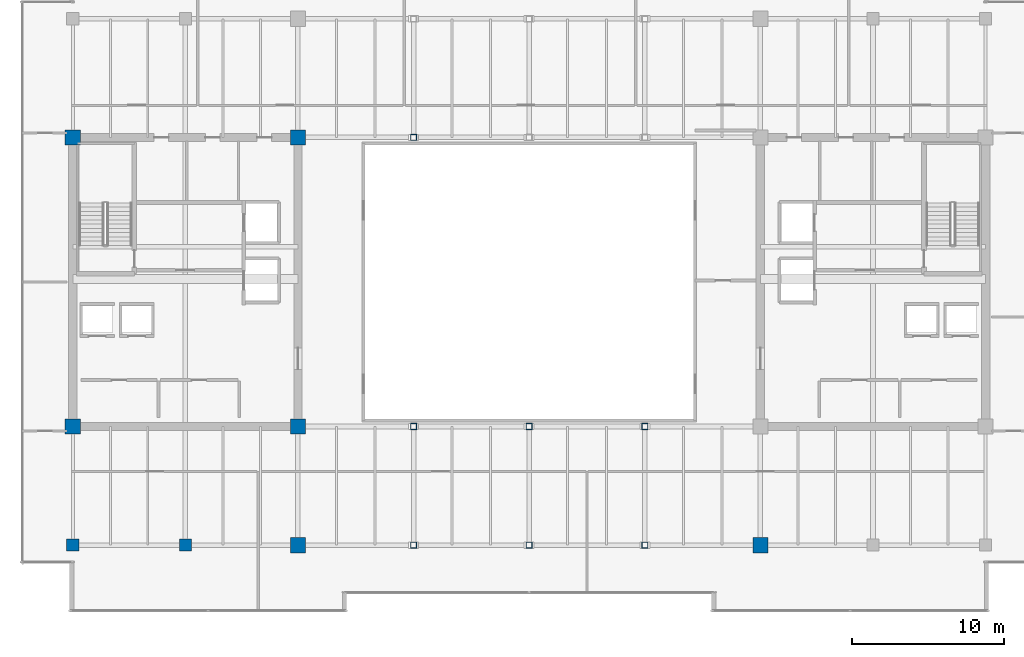
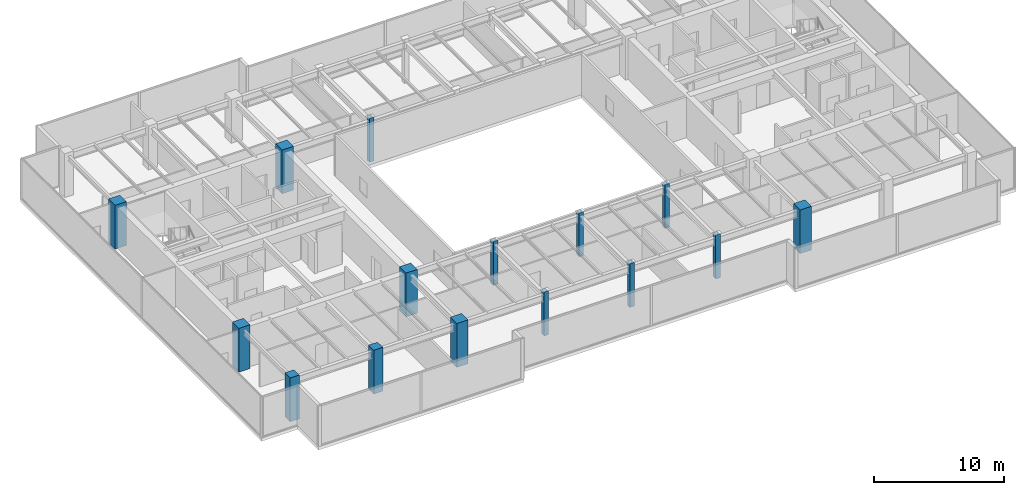
# One storey, part 1 of 33: 15 columns.
"""IFC4 building model written with IfcOpenShell, lengths in metres."""

from ifc_helpers import new_model, si_unit, direction, frame, origin, origin_2d, place, context, subcontext, project, spatial, rectangle, hollow_rectangle, extrude, source, transform, mapped, material, material_profile, profile_set, type_object, type_shapes, element, save


model = new_model("IFC4")

# Units and contexts
model_context = context("Model", 3, precision=1e-05, world=origin(), true_north=direction((0.0, 1.0)))
body_context = subcontext(model_context, "Body", "Model", "MODEL_VIEW")
ifc_project = project(units=[si_unit("LENGTHUNIT", "METRE"), si_unit("AREAUNIT", "SQUARE_METRE"), si_unit("VOLUMEUNIT", "CUBIC_METRE"), si_unit("PLANEANGLEUNIT", "RADIAN"), si_unit("MASSUNIT", "GRAM", prefix="KILO")], contexts=[model_context])

# Site, building, storey
site_placement = place(None, origin())
site = spatial("IfcSite", under=ifc_project, at=site_placement, CompositionType="ELEMENT")
building_placement = place(site_placement, origin())
building = spatial("IfcBuilding", under=site, at=building_placement, Name="Haelvirn Gate Laboratories", CompositionType="ELEMENT")
storey_placement = place(building_placement, frame((0.0, 0.0, 287.5)))
storey = spatial("IfcBuildingStorey", under=building, at=storey_placement, Name="L69", CompositionType="ELEMENT", Elevation=287.5)

# Columns
ifc_material_1 = material(Name="Concrete C60/75", Category="concrete")
ifc_material_profile_1 = material_profile(ifc_material_1, rectangle(XDim=1.0, YDim=1.0, at=origin_2d()), Name="RC-1000x1000")
ifc_profile_set_1 = profile_set([ifc_material_profile_1], Name="Concrete C60/75")
column_type_1 = type_object("IfcColumnType", Name="COL-RC-1000", PredefinedType="COLUMN", material=ifc_profile_set_1)
shared_shape_1 = source(origin(), body_context, "Body", "SweptSolid", [
    extrude(rectangle(XDim=1.0, YDim=1.0, at=origin_2d()), origin(), (0.0, 0.0, 1.0), 4.10009765625),
])
type_shapes(column_type_1, [shared_shape_1])
for number, where, z_axis, x_axis, name in (
    (1, (22.199951171875, 7.0, 0.0), (0.0, 0.0, 1.0), (1.0, 0.0, 0.0), "L69 Column 4B"),
    (2, (7.39990234375, 14.800048828125, 0.0), (0.0, 0.0, 1.0), (1.0, 0.0, 0.0), "L69 Column 2C"),
    (3, (22.199951171875, 14.800048828125, 0.0), (0.0, 0.0, 1.0), (1.0, 0.0, 0.0), "L69 Column 4C"),
    (4, (7.39990234375, 33.800048828125, 0.0), (0.0, 0.0, 1.0), (1.0, 0.0, 0.0), "L69 Column 2F"),
    (5, (22.199951171875, 33.800048828125, 0.0), (0.0, 0.0, 1.0), (1.0, 0.0, 0.0), "L69 Column 4F"),
    (6, (52.60009765625, 7.0, 0.0), (0.0, 0.0, 1.0), (1.0, 0.0, 0.0), "L69 Column 8B"),
):
    element("IfcColumn", number, at=place(storey_placement, frame(where, z_axis=z_axis, x_axis=x_axis)), inside=storey, type_object=column_type_1, Name=name, PredefinedType="COLUMN", context=body_context, shape_type="MappedRepresentation", body=[
        mapped(shared_shape_1, transform((0.0, 0.0, 0.0), scale=1.0)),
    ])
ifc_material_2 = material(Name="Concrete C50/60", Category="concrete")
ifc_material_profile_2 = material_profile(ifc_material_2, rectangle(XDim=0.800048828125, YDim=0.800048828125, at=origin_2d()), Name="RC-800x800")
ifc_profile_set_2 = profile_set([ifc_material_profile_2], Name="Concrete C50/60")
column_type_2 = type_object("IfcColumnType", Name="COL-RC-800", PredefinedType="COLUMN", material=ifc_profile_set_2)
shared_shape_2 = source(origin(), body_context, "Body", "SweptSolid", [
    extrude(rectangle(XDim=0.800048828125, YDim=0.800048828125, at=origin_2d()), origin(), (0.0, 0.0, 1.0), 4.10009765625),
])
type_shapes(column_type_2, [shared_shape_2])
for number, where, z_axis, x_axis, name in (
    (7, (14.800048828125, 7.0, 0.0), (0.0, 0.0, 1.0), (1.0, 0.0, 0.0), "L69 Column 3B"),
    (8, (7.39990234375, 7.0, 0.0), (0.0, 0.0, 1.0), (1.0, 0.0, 0.0), "L69 Column 2B"),
):
    element("IfcColumn", number, at=place(storey_placement, frame(where, z_axis=z_axis, x_axis=x_axis)), inside=storey, type_object=column_type_2, Name=name, PredefinedType="COLUMN", context=body_context, shape_type="MappedRepresentation", body=[
        mapped(shared_shape_2, transform((0.0, 0.0, 0.0), scale=1.0)),
    ])
ifc_material_3 = material(Name="Steel SM355", Category="steel")
ifc_material_profile_3 = material_profile(ifc_material_3, hollow_rectangle(XDim=0.39990234375, YDim=0.39990234375, WallThickness=0.01904296875, at=origin_2d()), Name="BOX-400x400x19")
ifc_profile_set_3 = profile_set([ifc_material_profile_3], Name="Steel SM355")
column_type_3 = type_object("IfcColumnType", Name="COL-BOX-400", PredefinedType="COLUMN", material=ifc_profile_set_3)
shared_shape_3 = source(origin(), body_context, "Body", "SweptSolid", [
    extrude(hollow_rectangle(XDim=0.39990234375, YDim=0.39990234375, WallThickness=0.01904296875, at=origin_2d()), origin(), (0.0, 0.0, 1.0), 4.10009765625),
])
type_shapes(column_type_3, [shared_shape_3])
for number, where, z_axis, x_axis, name in (
    (9, (29.800048828125, 7.0, 0.0), (0.0, 0.0, 1.0), (1.0, 0.0, 0.0), "L69 Column 5B"),
    (10, (29.800048828125, 14.800048828125, 0.0), (0.0, 0.0, 1.0), (1.0, 0.0, 0.0), "L69 Column 5C"),
    (11, (29.800048828125, 33.800048828125, 0.0), (0.0, 0.0, 1.0), (1.0, 0.0, 0.0), "L69 Column 5F"),
    (12, (37.39990234375, 7.0, 0.0), (0.0, 0.0, 1.0), (1.0, 0.0, 0.0), "L69 Column 6B"),
    (13, (37.39990234375, 14.800048828125, 0.0), (0.0, 0.0, 1.0), (1.0, 0.0, 0.0), "L69 Column 6C"),
    (14, (45.0, 7.0, 0.0), (0.0, 0.0, 1.0), (1.0, 0.0, 0.0), "L69 Column 7B"),
    (15, (45.0, 14.800048828125, 0.0), (0.0, 0.0, 1.0), (1.0, 0.0, 0.0), "L69 Column 7C"),
):
    element("IfcColumn", number, at=place(storey_placement, frame(where, z_axis=z_axis, x_axis=x_axis)), inside=storey, type_object=column_type_3, Name=name, PredefinedType="COLUMN", context=body_context, shape_type="MappedRepresentation", body=[
        mapped(shared_shape_3, transform((0.0, 0.0, 0.0), scale=1.0)),
    ])

save(model, "model.ifc")
